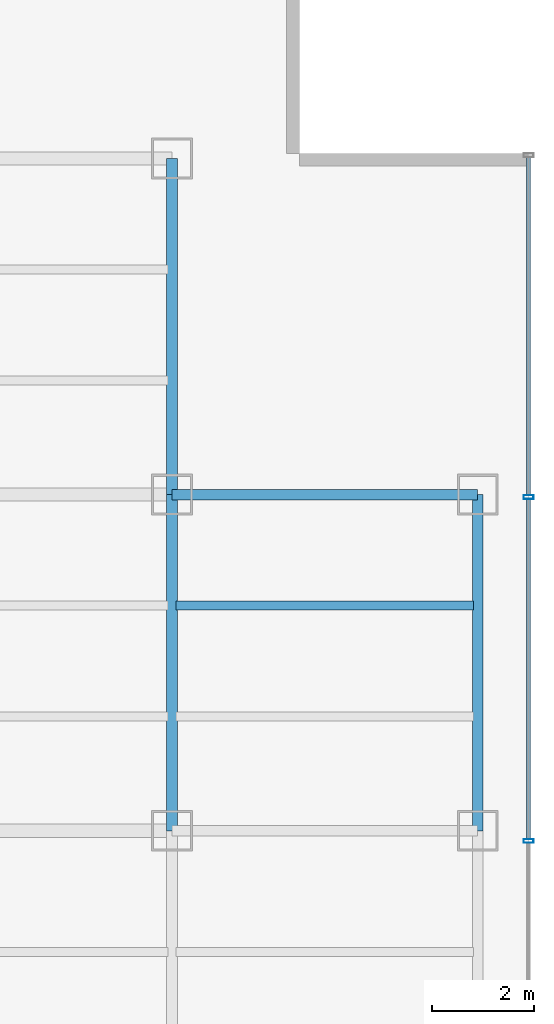
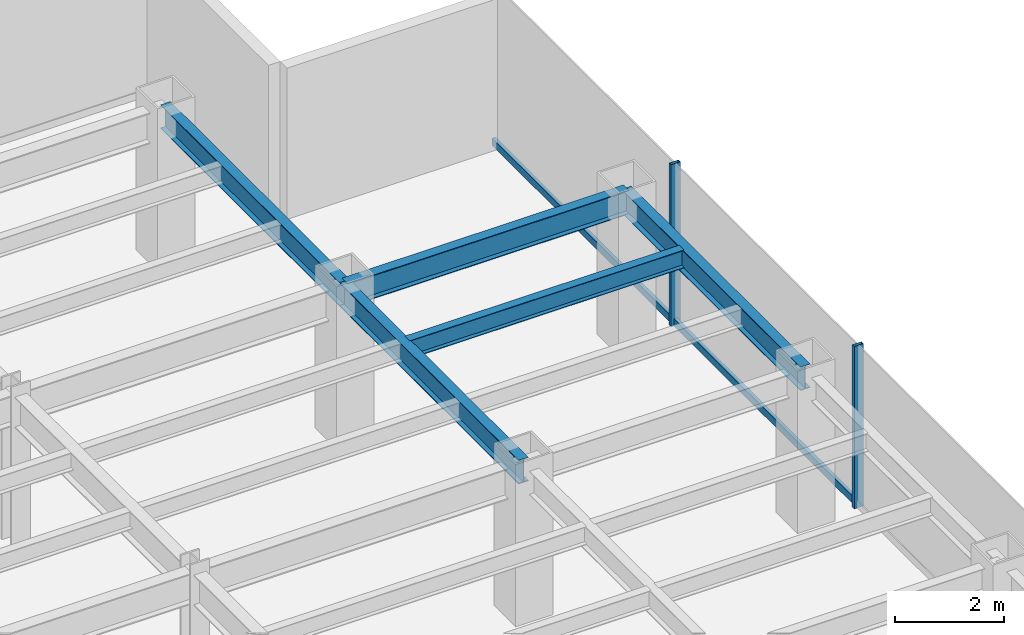
# One storey, part 12 of 26: 5 beams, 4 members, 1 element without a shape of its own.
"""IFC4 building model written with IfcOpenShell, lengths in metres."""

import ifcopenshell
import ifcopenshell.guid

model = None  # the IFC model being written
_history = None  # IfcOwnerHistory: only IFC2X3 demands one
_inside = {}  # id of a spatial element -> (the spatial element, [elements in it])
_under = {}  # id of a project, library or spatial element -> (it, [spatial elements below it])
_declared = {}  # id of a project -> (the project, [libraries it declares])
_typed = {}  # id of a type object -> (the type object, [elements of that type])
_made_of = {}  # id of a material, layer set ... -> (it, [elements and type objects made of it])


def new_model(schema):
    """Start an empty IFC model of exactly this schema.

    Asked for "IFC4X3", IfcOpenShell would pick the latest addendum, in which some entities
    have other attributes; the version numbers below select the first issue.
    IFC2X3 requires an IfcOwnerHistory on every rooted entity: one is made here for all.
    """
    global model, _history
    if schema == "IFC4X3":
        model = ifcopenshell.file(schema_version=(4, 3, 0, 0))
    else:
        model = ifcopenshell.file(schema=schema)
    _inside.clear()
    _under.clear()
    _declared.clear()
    _typed.clear()
    _made_of.clear()
    _history = None
    if model.schema == "IFC2X3":
        org = make("IfcOrganization", Name="unknown")
        user = make(
            "IfcPersonAndOrganization",
            ThePerson=make("IfcPerson", FamilyName="unknown"),
            TheOrganization=org,
        )
        app = make(
            "IfcApplication",
            ApplicationDeveloper=org,
            Version="unknown",
            ApplicationFullName="unknown",
            ApplicationIdentifier="unknown",
        )
        _history = make(
            "IfcOwnerHistory",
            OwningUser=user,
            OwningApplication=app,
            ChangeAction="ADDED",
            CreationDate=0,
        )
    return model


def make(cls, **values):
    """One entity of the class cls with the attributes given. An attribute that is None is left unset."""
    return model.create_entity(
        cls, **{name: value for name, value in values.items() if value is not None}
    )


def rooted(cls, **values):
    """An entity with a GlobalId (a new one), such as an element, a storey or a relation."""
    return make(cls, GlobalId=ifcopenshell.guid.new(), OwnerHistory=_history, **values)


def si_unit(unit_type, name, prefix=None):
    """IfcSIUnit, for example si_unit("LENGTHUNIT", "METRE", prefix="MILLI")."""
    return make("IfcSIUnit", UnitType=unit_type, Prefix=prefix, Name=name)


def derived_unit(unit_type, elements):
    """IfcDerivedUnit: a product of units, each with its exponent."""
    return make(
        "IfcDerivedUnit",
        Elements=[
            make("IfcDerivedUnitElement", Unit=unit, Exponent=power)
            for unit, power in elements
        ],
        UnitType=unit_type,
    )


def assignment(units):
    """IfcUnitAssignment: the units of a project."""
    return None if units is None else make("IfcUnitAssignment", Units=units)


def point(xyz):
    """IfcCartesianPoint."""
    return None if xyz is None else make("IfcCartesianPoint", Coordinates=xyz)


def direction(xyz):
    """IfcDirection."""
    return None if xyz is None else make("IfcDirection", DirectionRatios=xyz)


def frame(location, z_axis=None, x_axis=None):
    """IfcAxis2Placement3D, a coordinate frame: its origin and axes. An axis left out is left unset."""
    return make(
        "IfcAxis2Placement3D",
        Location=point(location),
        Axis=direction(z_axis),
        RefDirection=direction(x_axis),
    )


def frame_2d(location, x_axis=None):
    """IfcAxis2Placement2D, a coordinate frame in the plane: its origin and x axis."""
    return make(
        "IfcAxis2Placement2D", Location=point(location), RefDirection=direction(x_axis)
    )


def origin():
    """The frame at (0, 0, 0) with its axes left unset."""
    return frame((0.0, 0.0, 0.0))


def origin_2d():
    """The frame at (0, 0) in the plane with its x axis left unset."""
    return frame_2d((0.0, 0.0))


def place(relative_to, where):
    """IfcLocalPlacement: puts the frame where relative to a parent placement (None: the world)."""
    return make(
        "IfcLocalPlacement", PlacementRelTo=relative_to, RelativePlacement=where
    )


def context(
    kind, dimensions, precision=None, world=None, true_north=None, identifier=None
):
    """IfcGeometricRepresentationContext, for example the 3D "Model" context."""
    return make(
        "IfcGeometricRepresentationContext",
        ContextIdentifier=identifier,
        ContextType=kind,
        CoordinateSpaceDimension=dimensions,
        Precision=precision,
        WorldCoordinateSystem=world,
        TrueNorth=true_north,
    )


def subcontext(parent, identifier, kind, view, scale=None):
    """IfcGeometricRepresentationSubContext, for example "Body" below "Model"."""
    return make(
        "IfcGeometricRepresentationSubContext",
        ContextIdentifier=identifier,
        ContextType=kind,
        ParentContext=parent,
        TargetScale=scale,
        TargetView=view,
    )


def project(units=None, contexts=None):
    """IfcProject with its units and contexts."""
    return rooted(
        "IfcProject",
        Name="project",
        RepresentationContexts=contexts,
        UnitsInContext=assignment(units),
    )


def spatial(cls, under=None, at=None, **own):
    """A site, building, storey or space (cls), placed at a placement, below another one or the project."""
    s = rooted(cls, ObjectPlacement=at, **own)
    if under is not None:
        _under.setdefault(under.id(), (under, []))[1].append(s)
    return s


def profile(cls, at=None, kind="AREA", **sizes):
    """A parametric profile (cls). Its sizes go by their IFC names, for example OverallWidth=200.0."""
    return make(cls, ProfileType=kind, Position=at, **sizes)


def hollow_rectangle(**sizes):
    """IfcRectangleHollowProfileDef."""
    return profile("IfcRectangleHollowProfileDef", **sizes)


def i_section(**sizes):
    """IfcIShapeProfileDef."""
    return profile("IfcIShapeProfileDef", **sizes)


def extrude(swept, where, along, depth):
    """IfcExtrudedAreaSolid: the profile swept, set in the frame where, extruded along a direction by depth."""
    return make(
        "IfcExtrudedAreaSolid",
        SweptArea=swept,
        Position=where,
        ExtrudedDirection=direction(along),
        Depth=depth,
    )


def shape(context_of_items, identifier, shape_type, items):
    """IfcShapeRepresentation: the items that make up one representation, for example the "Body"."""
    return make(
        "IfcShapeRepresentation",
        ContextOfItems=context_of_items,
        RepresentationIdentifier=identifier,
        RepresentationType=shape_type,
        Items=items,
    )


def source(mapping_origin, context_of_items, identifier, shape_type, items):
    """IfcRepresentationMap: a shape defined once, which mapped items show again and again."""
    return make(
        "IfcRepresentationMap",
        MappingOrigin=mapping_origin,
        MappedRepresentation=shape(context_of_items, identifier, shape_type, items),
    )


def transform(
    local_origin,
    x_axis=None,
    y_axis=None,
    z_axis=None,
    scale=None,
    scale2=None,
    scale3=None,
    uniform=True,
):
    """IfcCartesianTransformationOperator3D, or its non-uniform kind. x_axis, y_axis, z_axis: its Axis1, 2, 3."""
    if uniform:
        return make(
            "IfcCartesianTransformationOperator3D",
            Axis1=direction(x_axis),
            Axis2=direction(y_axis),
            LocalOrigin=point(local_origin),
            Scale=scale,
            Axis3=direction(z_axis),
        )
    return make(
        "IfcCartesianTransformationOperator3DnonUniform",
        Axis1=direction(x_axis),
        Axis2=direction(y_axis),
        LocalOrigin=point(local_origin),
        Scale=scale,
        Axis3=direction(z_axis),
        Scale2=scale2,
        Scale3=scale3,
    )


def mapped(mapping_source, mapping_target):
    """IfcMappedItem: shows the shape of a source again, moved by a transform."""
    return make(
        "IfcMappedItem", MappingSource=mapping_source, MappingTarget=mapping_target
    )


def material(Name=None, Category=None):
    """IfcMaterial."""
    return make("IfcMaterial", Name=Name, Category=Category)


def material_profile(
    of_material, cross_section, Name=None, Category=None, Priority=None
):
    """IfcMaterialProfile: a cross section and its material."""
    return make(
        "IfcMaterialProfile",
        Name=Name,
        Material=of_material,
        Profile=cross_section,
        Priority=Priority,
        Category=Category,
    )


def profile_set(profiles, Name=None, composite=None):
    """IfcMaterialProfileSet."""
    return make(
        "IfcMaterialProfileSet",
        Name=Name,
        MaterialProfiles=profiles,
        CompositeProfile=composite,
    )


def made_of(thing, what):
    """Note that an element or type object is made of a material, layer set ...; save() writes the relation."""
    if what is not None:
        _made_of.setdefault(what.id(), (what, []))[1].append(thing)
    return thing


def type_object(cls, material=None, **own):
    """A type object (cls), such as IfcWallType, which elements share."""
    return made_of(rooted(cls, **own), material)


def element(
    cls,
    number,
    at=None,
    inside=None,
    cuts=None,
    type_object=None,
    material=None,
    context=None,
    identifier="Body",
    shape_type=None,
    held_by="IfcProductDefinitionShape",
    body=None,
    shapes=None,
    **own,
):
    """One element of the class cls, such as IfcWall. Its Tag is "e" and its number.

    at: its placement. inside: the storey or other place that contains it. cuts: it is an
    opening in that element (IfcRelVoidsElement). A single representation is given by context,
    identifier, shape_type and body (its items); several are given by shapes. held_by: the class
    of the entity that holds the representations. save() writes the other relations.
    """
    e = rooted(cls, Tag="e%d" % number, ObjectPlacement=at, **own)
    if body is not None:
        shapes = [shape(context, identifier, shape_type, body)]
    if shapes is not None:
        e.Representation = make(held_by, Representations=shapes)
    if inside is not None:
        _inside.setdefault(inside.id(), (inside, []))[1].append(e)
    if cuts is not None:
        rooted(
            "IfcRelVoidsElement", RelatingBuildingElement=cuts, RelatedOpeningElement=e
        )
    if type_object is not None:
        _typed.setdefault(type_object.id(), (type_object, []))[1].append(e)
    return made_of(e, material)


def aggregate(whole, parts):
    """IfcRelAggregates: a whole, such as a stair, and the parts it consists of."""
    return rooted("IfcRelAggregates", RelatingObject=whole, RelatedObjects=parts)


def save(model, path):
    """Write the relations noted so far, then the file.

    IfcRelAggregates (storeys below a building ...), IfcRelContainedInSpatialStructure (elements
    in a storey), IfcRelDefinesByType, IfcRelAssociatesMaterial and IfcRelDeclares: one each for
    every whole, place, type object, material and project.
    """
    for whole, parts in _under.values():
        aggregate(whole, parts)
    for where, things in _inside.values():
        rooted(
            "IfcRelContainedInSpatialStructure",
            RelatedElements=things,
            RelatingStructure=where,
        )
    for kind, things in _typed.values():
        rooted("IfcRelDefinesByType", RelatedObjects=things, RelatingType=kind)
    for what, things in _made_of.values():
        rooted("IfcRelAssociatesMaterial", RelatedObjects=things, RelatingMaterial=what)
    for by, libraries in _declared.values():
        rooted("IfcRelDeclares", RelatingContext=by, RelatedDefinitions=libraries)
    model.write(path)


model = new_model("IFC4")

# Units and contexts
model_context = context("Model", 3, precision=1e-05, world=origin(), true_north=direction((0.0, 1.0)))
body_context = subcontext(model_context, "Body", "Model", "MODEL_VIEW")
ifc_project = project(units=[si_unit("LENGTHUNIT", "METRE"), si_unit("AREAUNIT", "SQUARE_METRE"), si_unit("VOLUMEUNIT", "CUBIC_METRE"), si_unit("PLANEANGLEUNIT", "RADIAN"), si_unit("MASSUNIT", "GRAM", prefix="KILO"), derived_unit("THERMALTRANSMITTANCEUNIT", [(si_unit("POWERUNIT", "WATT"), 1), (si_unit("LENGTHUNIT", "METRE"), -2), (si_unit("THERMODYNAMICTEMPERATUREUNIT", "KELVIN"), -1)])], contexts=[model_context])

# Site, building, storey
site_placement = place(None, origin())
site = spatial("IfcSite", under=ifc_project, at=site_placement, CompositionType="ELEMENT")
building_placement = place(site_placement, origin())
building = spatial("IfcBuilding", under=site, at=building_placement, Name="Skarnbrae Concourse Arena and Tower", CompositionType="ELEMENT")
storey_placement = place(building_placement, frame((0.0, 0.0, 125.14990234375)))
storey = spatial("IfcBuildingStorey", under=building, at=storey_placement, Name="L31", CompositionType="ELEMENT", Elevation=125.14990234375)

# Beams
ifc_material_1 = material(Name="Steel CSA G40.21 350W", Category="steel")
ifc_material_profile_1 = material_profile(ifc_material_1, i_section(OverallWidth=0.208984375, OverallDepth=0.532958984375, WebThickness=0.01025390625, FlangeThickness=0.015625, at=origin_2d()), Name="W530X92")
ifc_profile_set_1 = profile_set([ifc_material_profile_1], Name="Steel CSA G40.21 350W")
beam_type_1 = type_object("IfcBeamType", Name="BM-SPAN-W530X92", PredefinedType="SPANDREL", material=ifc_profile_set_1)
shared_shape_1 = source(origin(), body_context, "Body", "SweptSolid", [
    extrude(i_section(OverallWidth=0.208984375, OverallDepth=0.532958984375, WebThickness=0.01025390625, FlangeThickness=0.015625, at=origin_2d()), origin(), (0.0, 0.0, 1.0), 6.0),
])
beam_1_placement = place(storey_placement, frame((49.0, 27.800048828125, 3.133544921875), z_axis=(1.0, 0.0, 0.0), x_axis=(0.0, 1.0, 0.0)))
element("IfcBeam", 1, at=beam_1_placement, inside=storey, type_object=beam_type_1, Name="L31 Perimeter spandrel Y27.8-8", PredefinedType="SPANDREL", context=body_context, shape_type="MappedRepresentation", body=[
    mapped(shared_shape_1, transform((0.0, 0.0, 0.0))),
])
shared_shape_2 = source(origin(), body_context, "Body", "SweptSolid", [
    extrude(i_section(OverallWidth=0.208984375, OverallDepth=0.532958984375, WebThickness=0.01025390625, FlangeThickness=0.015625, at=origin_2d()), origin(), (0.0, 0.0, 1.0), 6.60009765625),
])
for number, where, z_axis, x_axis, name in (
    (2, (49.0, 21.199951171875, 3.133544921875), (0.0, 1.0, 0.0), (-1.0, 0.0, 0.0), "L31 Perimeter spandrel X49.0-3"),
    (3, (55.0, 21.199951171875, 3.133544921875), (0.0, 1.0, 0.0), (-1.0, 0.0, 0.0), "L31 Perimeter spandrel X55.0-3"),
):
    element("IfcBeam", number, at=place(storey_placement, frame(where, z_axis=z_axis, x_axis=x_axis)), inside=storey, type_object=beam_type_1, Name=name, PredefinedType="SPANDREL", context=body_context, shape_type="MappedRepresentation", body=[
        mapped(shared_shape_2, transform((0.0, 0.0, 0.0))),
    ])
shared_shape_3 = source(origin(), body_context, "Body", "SweptSolid", [
    extrude(i_section(OverallWidth=0.208984375, OverallDepth=0.532958984375, WebThickness=0.01025390625, FlangeThickness=0.015625, at=origin_2d()), origin(), (0.0, 0.0, 1.0), 6.599853515625),
])
beam_2_placement = place(storey_placement, frame((49.0, 27.800048828125, 3.133544921875), z_axis=(0.0, 1.0, 0.0), x_axis=(-1.0, 0.0, 0.0)))
element("IfcBeam", 4, at=beam_2_placement, inside=storey, type_object=beam_type_1, Name="L31 Perimeter spandrel X49.0-4", PredefinedType="SPANDREL", context=body_context, shape_type="MappedRepresentation", body=[
    mapped(shared_shape_3, transform((0.0, 0.0, 0.0))),
])
ifc_material_profile_2 = material_profile(ifc_material_1, i_section(OverallWidth=0.177978515625, OverallDepth=0.406982421875, WebThickness=0.0078125, FlangeThickness=0.0126953125, at=origin_2d()), Name="W410X60")
ifc_profile_set_2 = profile_set([ifc_material_profile_2], Name="Steel CSA G40.21 350W")
beam_type_2 = type_object("IfcBeamType", Name="BM-JOIST-W410X60", PredefinedType="JOIST", material=ifc_profile_set_2)
shared_shape_4 = source(origin(), body_context, "Body", "SweptSolid", [
    extrude(i_section(OverallWidth=0.177978515625, OverallDepth=0.406982421875, WebThickness=0.0078125, FlangeThickness=0.0126953125, at=origin_2d()), origin(), (0.0, 0.0, 1.0), 5.83984375),
])
beam_3_placement = place(storey_placement, frame((49.080078125, 25.6220703125, 3.196533203125), z_axis=(1.0, 0.0, 0.0), x_axis=(0.0, 1.0, 0.0)))
element("IfcBeam", 5, at=beam_3_placement, inside=storey, type_object=beam_type_2, Name="L31 Secondary floor joist 2.2.8", PredefinedType="JOIST", context=body_context, shape_type="MappedRepresentation", body=[
    mapped(shared_shape_4, transform((0.0, 0.0, 0.0))),
])

# Curtain wall, members
ifc_material_2 = material(Name="Bronze anodised aluminium 6063-T6", Category="aluminium")
curtain_wall_type = type_object("IfcCurtainWallType", Name="CW-SYS-04-MIDZONE", PredefinedType="USERDEFINED", material=ifc_material_2)
curtain_wall_placement = place(storey_placement, origin())
curtain_wall = element("IfcCurtainWall", 6, at=curtain_wall_placement, inside=storey, type_object=curtain_wall_type, Name="L31 Unitised curtain wall CW-L31-E04", ObjectType="UNITISED CURTAIN WALL", PredefinedType="USERDEFINED")
ifc_material_profile_3 = material_profile(ifc_material_2, hollow_rectangle(XDim=0.074951171875, YDim=0.195068359375, WallThickness=0.00439453125, at=origin_2d()), Name="ALU-MULL-75X195")
ifc_profile_set_3 = profile_set([ifc_material_profile_3], Name="Bronze anodised aluminium 6063-T6")
member_type_1 = type_object("IfcMemberType", Name="CWM-CW-04", PredefinedType="MULLION", material=ifc_profile_set_3)
shared_shape_5 = source(origin(), body_context, "Body", "SweptSolid", [
    extrude(hollow_rectangle(XDim=0.074951171875, YDim=0.195068359375, WallThickness=0.00439453125, at=origin_2d()), origin(), (0.0, 0.0, 1.0), 3.650146484375),
])
member_1_placement = place(storey_placement, frame((56.0, 21.0, 0.0), z_axis=(0.0, 0.0, 1.0), x_axis=(0.0, 1.0, 0.0)))
member_1 = element("IfcMember", 7, at=member_1_placement, type_object=member_type_1, Name="CW-L31-E04 Mullion 3", PredefinedType="MULLION", context=body_context, shape_type="MappedRepresentation", body=[
    mapped(shared_shape_5, transform((0.0, 0.0, 0.0))),
])
member_2_placement = place(storey_placement, frame((56.0, 27.75, 0.0), z_axis=(0.0, 0.0, 1.0), x_axis=(0.0, 1.0, 0.0)))
member_2 = element("IfcMember", 8, at=member_2_placement, type_object=member_type_1, Name="CW-L31-E04 Mullion 4", PredefinedType="MULLION", context=body_context, shape_type="MappedRepresentation", body=[
    mapped(shared_shape_5, transform((0.0, 0.0, 0.0))),
])
ifc_material_profile_4 = material_profile(ifc_material_2, hollow_rectangle(XDim=0.074951171875, YDim=0.159912109375, WallThickness=0.00439453125, at=origin_2d()), Name="ALU-TRAN-75X160")
ifc_profile_set_4 = profile_set([ifc_material_profile_4], Name="Bronze anodised aluminium 6063-T6")
member_type_2 = type_object("IfcMemberType", Name="CWT-CW-04", PredefinedType="USERDEFINED", material=ifc_profile_set_4)
shared_shape_6 = source(origin(), body_context, "Body", "SweptSolid", [
    extrude(hollow_rectangle(XDim=0.074951171875, YDim=0.159912109375, WallThickness=0.00439453125, at=origin_2d()), origin(), (0.0, 0.0, 1.0), 6.637451171875),
])
member_3_placement = place(storey_placement, frame((56.0, 27.78759765625, 0.080078125), z_axis=(0.0, 1.0, 0.0), x_axis=(-1.0, 0.0, 0.0)))
member_3 = element("IfcMember", 9, at=member_3_placement, type_object=member_type_2, Name="CW-L31-E04 Transom 4", ObjectType="TRANSOM", PredefinedType="USERDEFINED", context=body_context, shape_type="MappedRepresentation", body=[
    mapped(shared_shape_6, transform((0.0, 0.0, 0.0))),
])
shared_shape_7 = source(origin(), body_context, "Body", "SweptSolid", [
    extrude(hollow_rectangle(XDim=0.074951171875, YDim=0.159912109375, WallThickness=0.00439453125, at=origin_2d()), origin(), (0.0, 0.0, 1.0), 6.6748046875),
])
member_4_placement = place(storey_placement, frame((56.0, 21.03759765625, 0.080078125), z_axis=(0.0, 1.0, 0.0), x_axis=(-1.0, 0.0, 0.0)))
member_4 = element("IfcMember", 10, at=member_4_placement, type_object=member_type_2, Name="CW-L31-E04 Transom 3", ObjectType="TRANSOM", PredefinedType="USERDEFINED", context=body_context, shape_type="MappedRepresentation", body=[
    mapped(shared_shape_7, transform((0.0, 0.0, 0.0))),
])
aggregate(curtain_wall, [member_1, member_2, member_4, member_3])

save(model, "model.ifc")
